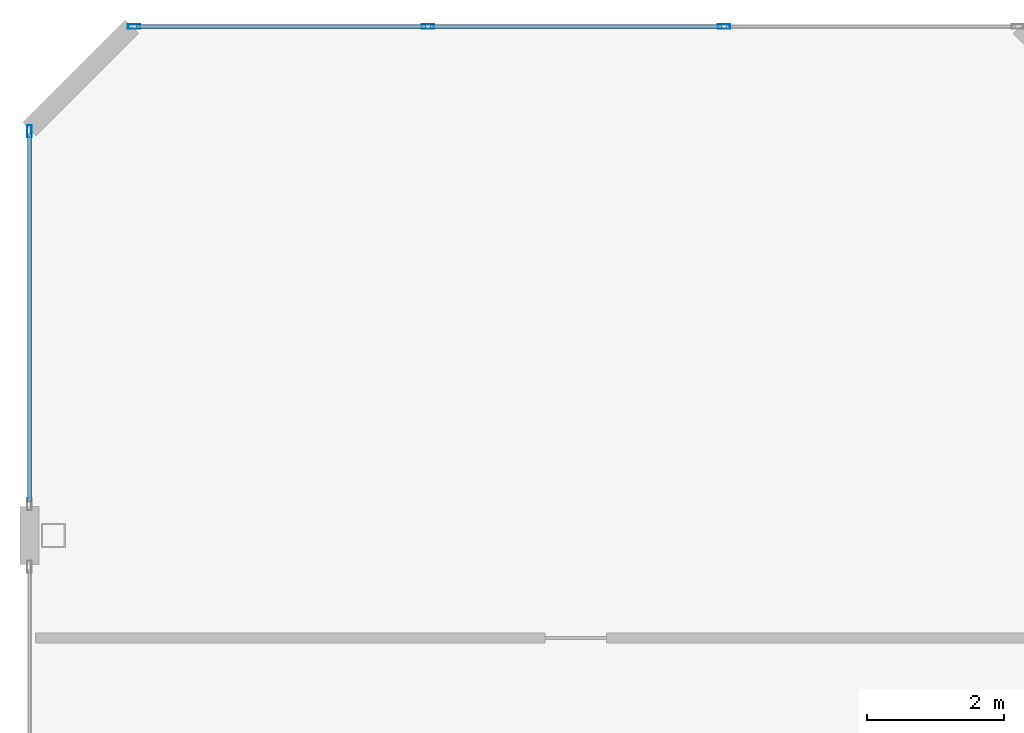
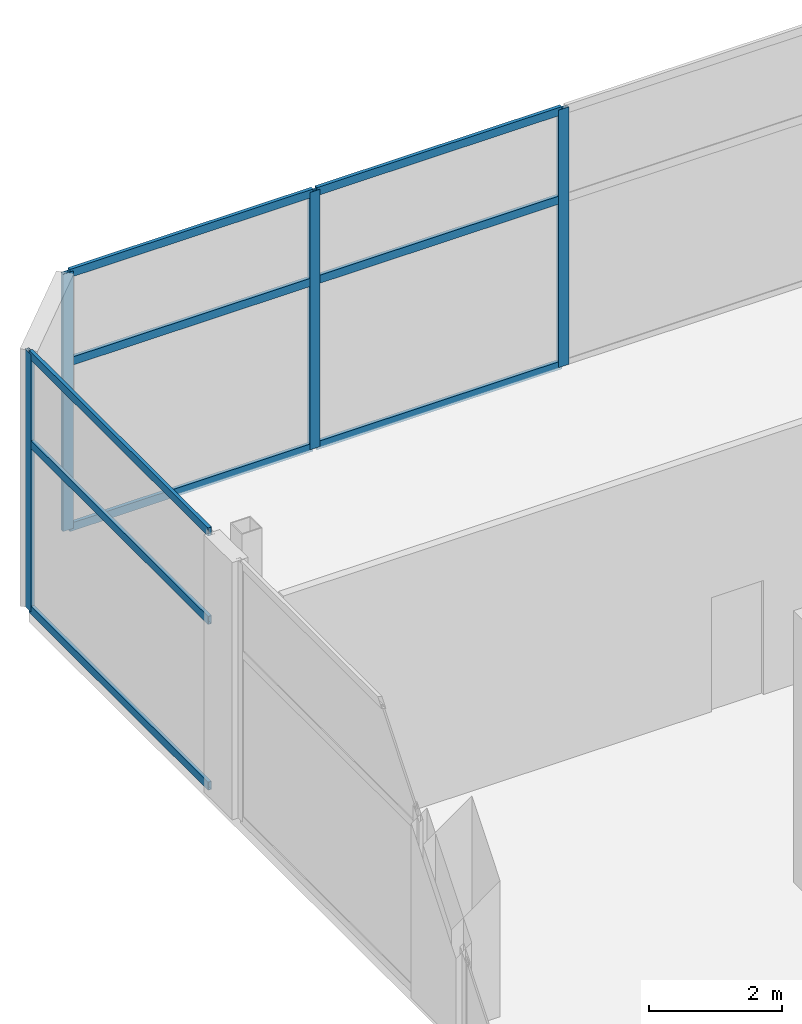
# One storey, part 13 of 18: 13 members, 2 elements without a shape of their own.
"""IFC4 building model written with IfcOpenShell, lengths in metres."""

from ifc_helpers import new_model, si_unit, direction, frame, origin, origin_2d, place, context, subcontext, project, spatial, hollow_rectangle, extrude, material, layer, layer_set, material_profile, profile_set, type_object, element, aggregate, save


model = new_model("IFC4")

# Units and contexts
model_context = context("Model", 3, precision=1e-05, world=origin(), true_north=direction((0.0, 1.0)))
body_context = subcontext(model_context, "Body", "Model", "MODEL_VIEW")
ifc_project = project(units=[si_unit("LENGTHUNIT", "METRE"), si_unit("AREAUNIT", "SQUARE_METRE"), si_unit("VOLUMEUNIT", "CUBIC_METRE"), si_unit("PLANEANGLEUNIT", "RADIAN"), si_unit("MASSUNIT", "GRAM", prefix="KILO")], contexts=[model_context])

# Site, building, storey
site_placement = place(None, origin())
site = spatial("IfcSite", under=ifc_project, at=site_placement, CompositionType="ELEMENT")
building_placement = place(site_placement, origin())
building = spatial("IfcBuilding", under=site, at=building_placement, Name="Mawjaban Terraces University", CompositionType="ELEMENT")
storey_placement = place(building_placement, frame((0.0, 0.0, 316.699951171875)))
storey = spatial("IfcBuildingStorey", under=building, at=storey_placement, Name="L77", CompositionType="ELEMENT", Elevation=316.699951171875)

# Curtain wall, members
ifc_material_1 = material(Name="Anodised aluminium 6063-T6 and solar-control low-E glass", Category="aluminium")
ifc_layer = layer(ifc_material_1, 0.199951171875)
ifc_layer_set = layer_set([ifc_layer], Name="Anodised aluminium 6063-T6 and solar-control low-E glass")
curtain_wall_type = type_object("IfcCurtainWallType", Name="CWSystem_06_ObservationCrown", PredefinedType="NOTDEFINED", material=ifc_layer_set)
curtain_wall_1_placement = place(storey_placement, origin())
curtain_wall_1 = element("IfcCurtainWall", 1, at=curtain_wall_1_placement, inside=storey, type_object=curtain_wall_type, Name="L77 Curtain Wall CW-06 Run 5.1", PredefinedType="NOTDEFINED")
ifc_material_2 = material(Name="Anodised aluminium 6063-T6", Category="aluminium")
ifc_material_profile_1 = material_profile(ifc_material_2, hollow_rectangle(XDim=0.06494140625, YDim=0.179931640625, WallThickness=0.00390625, at=origin_2d()), Name="ALU180X65X4")
ifc_profile_set_1 = profile_set([ifc_material_profile_1], Name="Anodised aluminium 6063-T6")
member_type_1 = type_object("IfcMemberType", Name="Mullion_CW-06", PredefinedType="MULLION", material=ifc_profile_set_1)
member_1_placement = place(storey_placement, frame((32.166748046875, 37.449951171875, 0.0), z_axis=(0.0, 0.0, 1.0), x_axis=(0.0, -1.0, 0.0)))
member_1 = element("IfcMember", 2, at=member_1_placement, type_object=member_type_1, Name="CW-06 mullion 2", PredefinedType="MULLION", context=body_context, shape_type="SweptSolid", body=[
    extrude(hollow_rectangle(XDim=0.06494140625, YDim=0.179931640625, WallThickness=0.00390625, at=origin_2d()), origin(), (0.0, 0.0, 1.0), 4.739990234375),
])
member_2_placement = place(storey_placement, frame((27.833251953125, 37.449951171875, 0.0), z_axis=(0.0, 0.0, 1.0), x_axis=(0.0, -1.0, 0.0)))
member_2 = element("IfcMember", 3, at=member_2_placement, type_object=member_type_1, Name="CW-06 mullion 3", PredefinedType="MULLION", context=body_context, shape_type="SweptSolid", body=[
    extrude(hollow_rectangle(XDim=0.06494140625, YDim=0.179931640625, WallThickness=0.00390625, at=origin_2d()), origin(), (0.0, 0.0, 1.0), 4.739990234375),
])
member_3_placement = place(storey_placement, frame((23.532470703125, 37.449951171875, 0.0), z_axis=(0.0, 0.0, 1.0), x_axis=(0.0, -1.0, 0.0)))
member_3 = element("IfcMember", 4, at=member_3_placement, type_object=member_type_1, Name="CW-06 mullion 4", PredefinedType="MULLION", context=body_context, shape_type="SweptSolid", body=[
    extrude(hollow_rectangle(XDim=0.06494140625, YDim=0.179931640625, WallThickness=0.00390625, at=origin_2d()), origin(), (0.0, 0.0, 1.0), 4.739990234375),
])

# Curtain wall, member
curtain_wall_2_placement = place(storey_placement, origin())
curtain_wall_2 = element("IfcCurtainWall", 5, at=curtain_wall_2_placement, inside=storey, type_object=curtain_wall_type, Name="L77 Curtain Wall CW-06 Run 7.1", PredefinedType="NOTDEFINED")
member_4_placement = place(storey_placement, frame((22.0, 35.91748046875, 0.0), z_axis=(0.0, 0.0, 1.0), x_axis=(1.0, 0.0, 0.0)))
member_4 = element("IfcMember", 6, at=member_4_placement, type_object=member_type_1, Name="CW-06 mullion 1", PredefinedType="MULLION", context=body_context, shape_type="SweptSolid", body=[
    extrude(hollow_rectangle(XDim=0.06494140625, YDim=0.179931640625, WallThickness=0.00390625, at=origin_2d()), origin(), (0.0, 0.0, 1.0), 4.739990234375),
])

# Member
ifc_material_profile_2 = material_profile(ifc_material_2, hollow_rectangle(XDim=0.06005859375, YDim=0.14990234375, WallThickness=0.00390625, at=origin_2d()), Name="ALU150X60X4")
ifc_profile_set_2 = profile_set([ifc_material_profile_2], Name="Anodised aluminium 6063-T6")
member_type_2 = type_object("IfcMemberType", Name="Transom_CW-06", PredefinedType="NOTDEFINED", material=ifc_profile_set_2)
member_5_placement = place(storey_placement, frame((32.13427734375, 37.449951171875, 0.030029296875), z_axis=(-1.0, 0.0, 0.0), x_axis=(0.0, -1.0, 0.0)))
member_5 = element("IfcMember", 7, at=member_5_placement, type_object=member_type_2, Name="CW-06 transom 2.1", ObjectType="TRANSOM", PredefinedType="USERDEFINED", context=body_context, shape_type="SweptSolid", body=[
    extrude(hollow_rectangle(XDim=0.06005859375, YDim=0.14990234375, WallThickness=0.00390625, at=origin_2d()), origin(), (0.0, 0.0, 1.0), 4.2685546875),
])

member_6_placement = place(storey_placement, frame((32.13427734375, 37.449951171875, 3.0810546875), z_axis=(-1.0, 0.0, 0.0), x_axis=(0.0, -1.0, 0.0)))
member_6 = element("IfcMember", 8, at=member_6_placement, type_object=member_type_2, Name="CW-06 transom 2.2", ObjectType="TRANSOM", PredefinedType="USERDEFINED", context=body_context, shape_type="SweptSolid", body=[
    extrude(hollow_rectangle(XDim=0.06005859375, YDim=0.14990234375, WallThickness=0.00390625, at=origin_2d()), origin(), (0.0, 0.0, 1.0), 4.2685546875),
])

member_7_placement = place(storey_placement, frame((32.13427734375, 37.449951171875, 4.7099609375), z_axis=(-1.0, 0.0, 0.0), x_axis=(0.0, -1.0, 0.0)))
member_7 = element("IfcMember", 9, at=member_7_placement, type_object=member_type_2, Name="CW-06 transom 2.3", ObjectType="TRANSOM", PredefinedType="USERDEFINED", context=body_context, shape_type="SweptSolid", body=[
    extrude(hollow_rectangle(XDim=0.06005859375, YDim=0.14990234375, WallThickness=0.00390625, at=origin_2d()), origin(), (0.0, 0.0, 1.0), 4.2685546875),
])

member_8_placement = place(storey_placement, frame((27.80078125, 37.449951171875, 0.030029296875), z_axis=(-1.0, 0.0, 0.0), x_axis=(0.0, -1.0, 0.0)))
member_8 = element("IfcMember", 10, at=member_8_placement, type_object=member_type_2, Name="CW-06 transom 3.1", ObjectType="TRANSOM", PredefinedType="USERDEFINED", context=body_context, shape_type="SweptSolid", body=[
    extrude(hollow_rectangle(XDim=0.06005859375, YDim=0.14990234375, WallThickness=0.00390625, at=origin_2d()), origin(), (0.0, 0.0, 1.0), 4.23583984375),
])

member_9_placement = place(storey_placement, frame((27.80078125, 37.449951171875, 3.0810546875), z_axis=(-1.0, 0.0, 0.0), x_axis=(0.0, -1.0, 0.0)))
member_9 = element("IfcMember", 11, at=member_9_placement, type_object=member_type_2, Name="CW-06 transom 3.2", ObjectType="TRANSOM", PredefinedType="USERDEFINED", context=body_context, shape_type="SweptSolid", body=[
    extrude(hollow_rectangle(XDim=0.06005859375, YDim=0.14990234375, WallThickness=0.00390625, at=origin_2d()), origin(), (0.0, 0.0, 1.0), 4.23583984375),
])

member_10_placement = place(storey_placement, frame((27.80078125, 37.449951171875, 4.7099609375), z_axis=(-1.0, 0.0, 0.0), x_axis=(0.0, -1.0, 0.0)))
member_10 = element("IfcMember", 12, at=member_10_placement, type_object=member_type_2, Name="CW-06 transom 3.3", ObjectType="TRANSOM", PredefinedType="USERDEFINED", context=body_context, shape_type="SweptSolid", body=[
    extrude(hollow_rectangle(XDim=0.06005859375, YDim=0.14990234375, WallThickness=0.00390625, at=origin_2d()), origin(), (0.0, 0.0, 1.0), 4.23583984375),
])

aggregate(curtain_wall_1, [member_1, member_2, member_3, member_5, member_6, member_7, member_8, member_9, member_10])

member_11_placement = place(storey_placement, frame((22.0, 35.885009765625, 0.030029296875), z_axis=(0.0, -1.0, 0.0), x_axis=(1.0, 0.0, 0.0)))
member_11 = element("IfcMember", 13, at=member_11_placement, type_object=member_type_2, Name="CW-06 transom 1.1", ObjectType="TRANSOM", PredefinedType="USERDEFINED", context=body_context, shape_type="SweptSolid", body=[
    extrude(hollow_rectangle(XDim=0.06005859375, YDim=0.14990234375, WallThickness=0.00390625, at=origin_2d()), origin(), (0.0, 0.0, 1.0), 5.39501953125),
])

member_12_placement = place(storey_placement, frame((22.0, 35.885009765625, 3.0810546875), z_axis=(0.0, -1.0, 0.0), x_axis=(1.0, 0.0, 0.0)))
member_12 = element("IfcMember", 14, at=member_12_placement, type_object=member_type_2, Name="CW-06 transom 1.2", ObjectType="TRANSOM", PredefinedType="USERDEFINED", context=body_context, shape_type="SweptSolid", body=[
    extrude(hollow_rectangle(XDim=0.06005859375, YDim=0.14990234375, WallThickness=0.00390625, at=origin_2d()), origin(), (0.0, 0.0, 1.0), 5.39501953125),
])

member_13_placement = place(storey_placement, frame((22.0, 35.885009765625, 4.7099609375), z_axis=(0.0, -1.0, 0.0), x_axis=(1.0, 0.0, 0.0)))
member_13 = element("IfcMember", 15, at=member_13_placement, type_object=member_type_2, Name="CW-06 transom 1.3", ObjectType="TRANSOM", PredefinedType="USERDEFINED", context=body_context, shape_type="SweptSolid", body=[
    extrude(hollow_rectangle(XDim=0.06005859375, YDim=0.14990234375, WallThickness=0.00390625, at=origin_2d()), origin(), (0.0, 0.0, 1.0), 5.39501953125),
])

aggregate(curtain_wall_2, [member_4, member_11, member_12, member_13])

save(model, "model.ifc")
